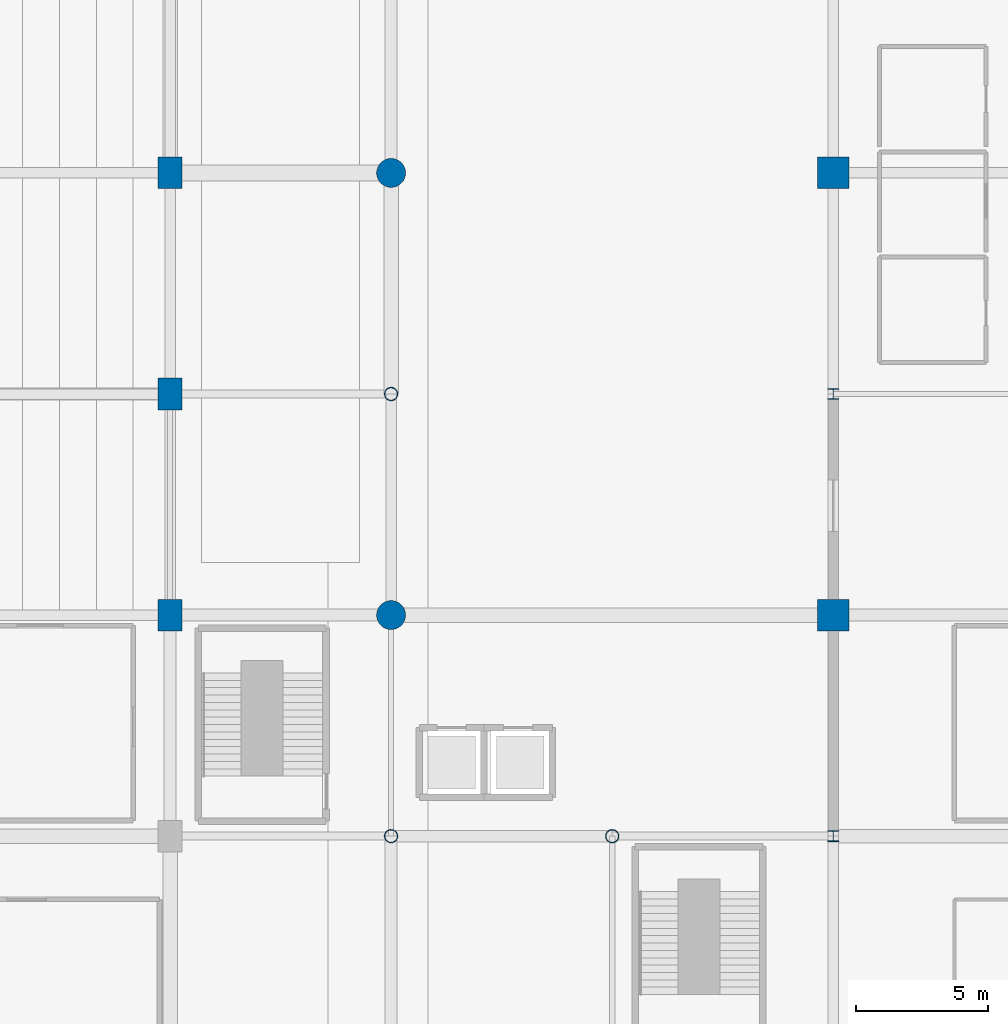
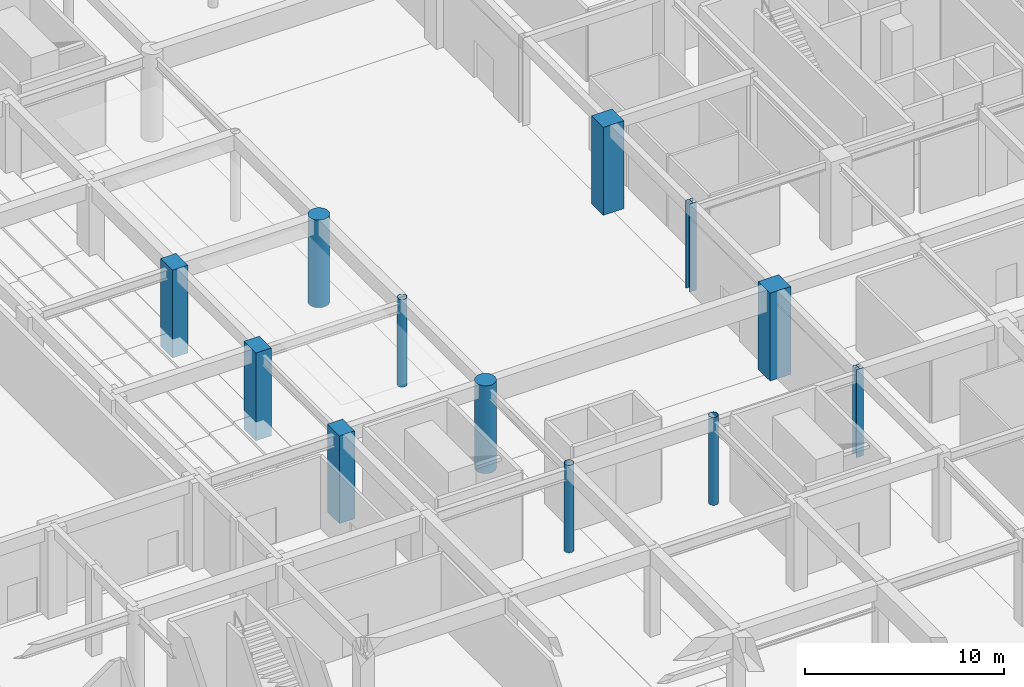
# One storey, part 2 of 62: 12 columns.
"""IFC4 building model written with IfcOpenShell, lengths in metres."""

from ifc_helpers import new_model, si_unit, direction, frame, origin, origin_2d, place, context, subcontext, project, spatial, rectangle, circle, hollow_circle, i_section, extrude, material, material_profile, profile_set, type_object, element, save


model = new_model("IFC4")

# Units and contexts
model_context = context("Model", 3, precision=1e-05, world=origin(), true_north=direction((0.0, 1.0)))
body_context = subcontext(model_context, "Body", "Model", "MODEL_VIEW")
ifc_project = project(units=[si_unit("LENGTHUNIT", "METRE"), si_unit("AREAUNIT", "SQUARE_METRE"), si_unit("VOLUMEUNIT", "CUBIC_METRE"), si_unit("PLANEANGLEUNIT", "RADIAN"), si_unit("MASSUNIT", "GRAM", prefix="KILO")], contexts=[model_context])

# Site, building, storey
site_placement = place(None, origin())
site = spatial("IfcSite", under=ifc_project, at=site_placement, CompositionType="ELEMENT")
building_placement = place(site_placement, origin())
building = spatial("IfcBuilding", under=site, at=building_placement, Name="Xuanlan Plaza Opera House", CompositionType="ELEMENT")
storey_placement = place(building_placement, origin())
storey = spatial("IfcBuildingStorey", under=building, at=storey_placement, Name="L00", CompositionType="ELEMENT", Elevation=0.0)

# Columns
ifc_material_1 = material(Name="Concrete C60", Category="concrete")
ifc_material_profile_1 = material_profile(ifc_material_1, rectangle(XDim=1.199951171875, YDim=1.199951171875, at=origin_2d()), Name="RC-COL 1200x1200")
ifc_profile_set_1 = profile_set([ifc_material_profile_1], Name="Concrete C60")
column_type_1 = type_object("IfcColumnType", Name="STR-COL-C-02", PredefinedType="COLUMN", material=ifc_profile_set_1)
for number, where, z_axis, x_axis, name in (
    (1, (126.0, 42.0, 0.0), (0.0, 0.0, 1.0), (1.0, 0.0, 0.0), "Column L00 16-F"),
    (2, (126.0, 58.800048828125, 0.0), (0.0, 0.0, 1.0), (1.0, 0.0, 0.0), "Column L00 16-H"),
):
    element("IfcColumn", number, at=place(storey_placement, frame(where, z_axis=z_axis, x_axis=x_axis)), inside=storey, type_object=column_type_1, Name=name, PredefinedType="COLUMN", context=body_context, shape_type="SweptSolid", body=[
        extrude(rectangle(XDim=1.199951171875, YDim=1.199951171875, at=origin_2d()), origin(), (0.0, 0.0, 1.0), 5.39990234375),
    ])
ifc_material_2 = material(Name="Concrete C50", Category="concrete")
ifc_material_profile_2 = material_profile(ifc_material_2, rectangle(XDim=0.89990234375, YDim=1.199951171875, at=origin_2d()), Name="RC-COL 900x1200")
ifc_profile_set_2 = profile_set([ifc_material_profile_2], Name="Concrete C50")
column_type_2 = type_object("IfcColumnType", Name="STR-COL-C-10", PredefinedType="COLUMN", material=ifc_profile_set_2)
for number, where, z_axis, x_axis, name in (
    (3, (100.800048828125, 42.0, 0.0), (0.0, 0.0, 1.0), (1.0, 0.0, 0.0), "Column L00 13-F"),
    (4, (100.800048828125, 50.39990234375, 0.0), (0.0, 0.0, 1.0), (1.0, 0.0, 0.0), "Column L00 13-G"),
    (5, (100.800048828125, 58.800048828125, 0.0), (0.0, 0.0, 1.0), (1.0, 0.0, 0.0), "Column L00 13-H"),
):
    element("IfcColumn", number, at=place(storey_placement, frame(where, z_axis=z_axis, x_axis=x_axis)), inside=storey, type_object=column_type_2, Name=name, PredefinedType="COLUMN", context=body_context, shape_type="SweptSolid", body=[
        extrude(rectangle(XDim=0.89990234375, YDim=1.199951171875, at=origin_2d()), origin(), (0.0, 0.0, 1.0), 5.39990234375),
    ])
ifc_material_profile_3 = material_profile(ifc_material_2, circle(Radius=0.550048828125, at=origin_2d()), Name="RC-COL D1100")
ifc_profile_set_3 = profile_set([ifc_material_profile_3], Name="Concrete C50")
column_type_3 = type_object("IfcColumnType", Name="STR-COL-C-11", PredefinedType="COLUMN", material=ifc_profile_set_3)
for number, where, z_axis, x_axis, name in (
    (6, (109.199951171875, 42.0, 0.0), (0.0, 0.0, 1.0), (1.0, 0.0, 0.0), "Column L00 14-F"),
    (7, (109.199951171875, 58.800048828125, 0.0), (0.0, 0.0, 1.0), (1.0, 0.0, 0.0), "Column L00 14-H"),
):
    element("IfcColumn", number, at=place(storey_placement, frame(where, z_axis=z_axis, x_axis=x_axis)), inside=storey, type_object=column_type_3, Name=name, PredefinedType="COLUMN", context=body_context, shape_type="SweptSolid", body=[
        extrude(circle(Radius=0.550048828125, at=origin_2d()), origin(), (0.0, 0.0, 1.0), 5.39990234375),
    ])
ifc_material_3 = material(Name="Steel Q390B", Category="steel")
ifc_material_profile_4 = material_profile(ifc_material_3, i_section(OverallWidth=0.405029296875, OverallDepth=0.4140625, WebThickness=0.01806640625, FlangeThickness=0.028076171875, FilletRadius=0.02197265625, at=origin_2d()), Name="HW 414x405x18x28")
ifc_profile_set_4 = profile_set([ifc_material_profile_4], Name="Steel Q390B")
column_type_4 = type_object("IfcColumnType", Name="STR-COL-C-13", PredefinedType="COLUMN", material=ifc_profile_set_4)
for number, where, z_axis, x_axis, name in (
    (8, (126.0, 33.60009765625, 0.0), (0.0, 0.0, 1.0), (1.0, 0.0, 0.0), "Column L00 16-E"),
    (9, (126.0, 50.39990234375, 0.0), (0.0, 0.0, 1.0), (1.0, 0.0, 0.0), "Column L00 16-G"),
):
    element("IfcColumn", number, at=place(storey_placement, frame(where, z_axis=z_axis, x_axis=x_axis)), inside=storey, type_object=column_type_4, Name=name, PredefinedType="COLUMN", context=body_context, shape_type="SweptSolid", body=[
        extrude(i_section(OverallWidth=0.405029296875, OverallDepth=0.4140625, WebThickness=0.01806640625, FlangeThickness=0.028076171875, FilletRadius=0.02197265625, at=origin_2d()), origin(), (0.0, 0.0, 1.0), 5.39990234375),
    ])
ifc_material_4 = material(Name="Steel Q355B", Category="steel")
ifc_material_profile_5 = material_profile(ifc_material_4, hollow_circle(Radius=0.25390625, WallThickness=0.02001953125, at=origin_2d()), Name="CHS 508x20")
ifc_profile_set_5 = profile_set([ifc_material_profile_5], Name="Steel Q355B")
column_type_5 = type_object("IfcColumnType", Name="STR-COL-C-16", PredefinedType="COLUMN", material=ifc_profile_set_5)
for number, where, z_axis, x_axis, name in (
    (10, (109.199951171875, 33.60009765625, 0.0), (0.0, 0.0, 1.0), (1.0, 0.0, 0.0), "Column L00 14-E"),
    (11, (109.199951171875, 50.39990234375, 0.0), (0.0, 0.0, 1.0), (1.0, 0.0, 0.0), "Column L00 14-G"),
    (12, (117.60009765625, 33.60009765625, 0.0), (0.0, 0.0, 1.0), (1.0, 0.0, 0.0), "Column L00 15-E"),
):
    element("IfcColumn", number, at=place(storey_placement, frame(where, z_axis=z_axis, x_axis=x_axis)), inside=storey, type_object=column_type_5, Name=name, PredefinedType="COLUMN", context=body_context, shape_type="SweptSolid", body=[
        extrude(hollow_circle(Radius=0.25390625, WallThickness=0.02001953125, at=origin_2d()), origin(), (0.0, 0.0, 1.0), 5.39990234375),
    ])

save(model, "model.ifc")
